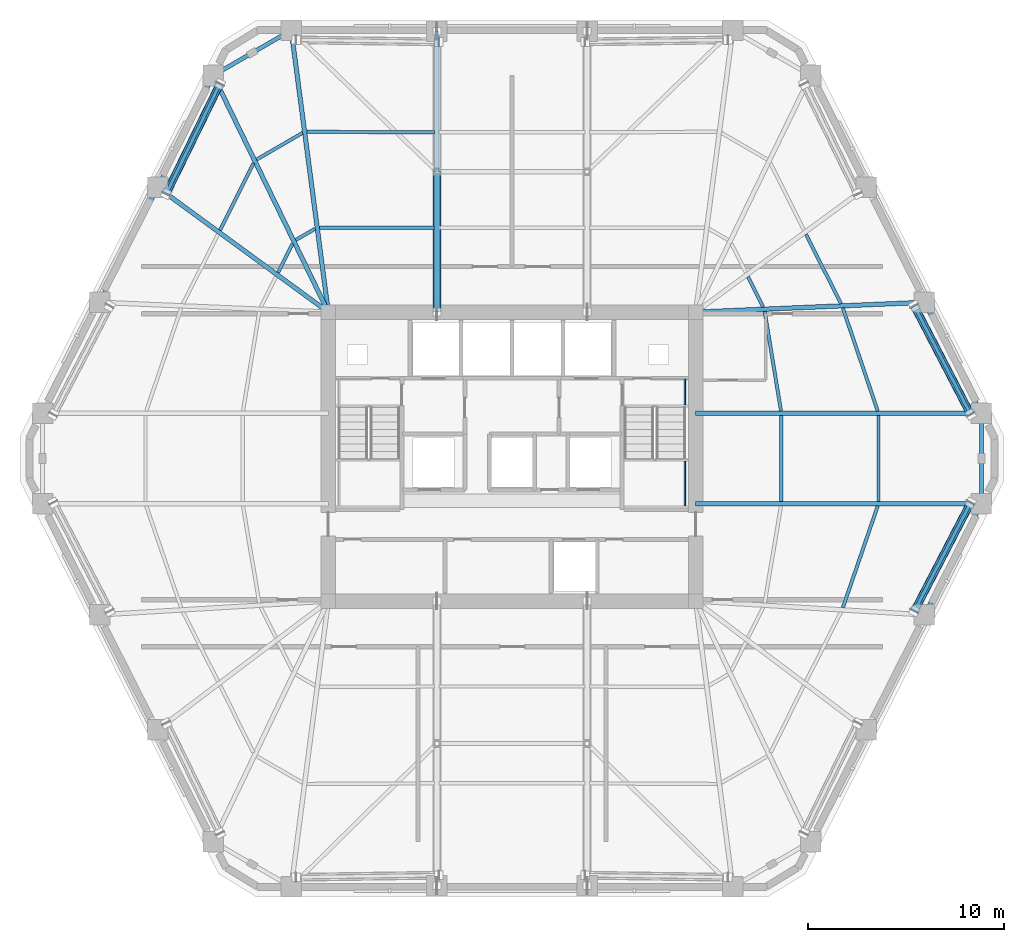
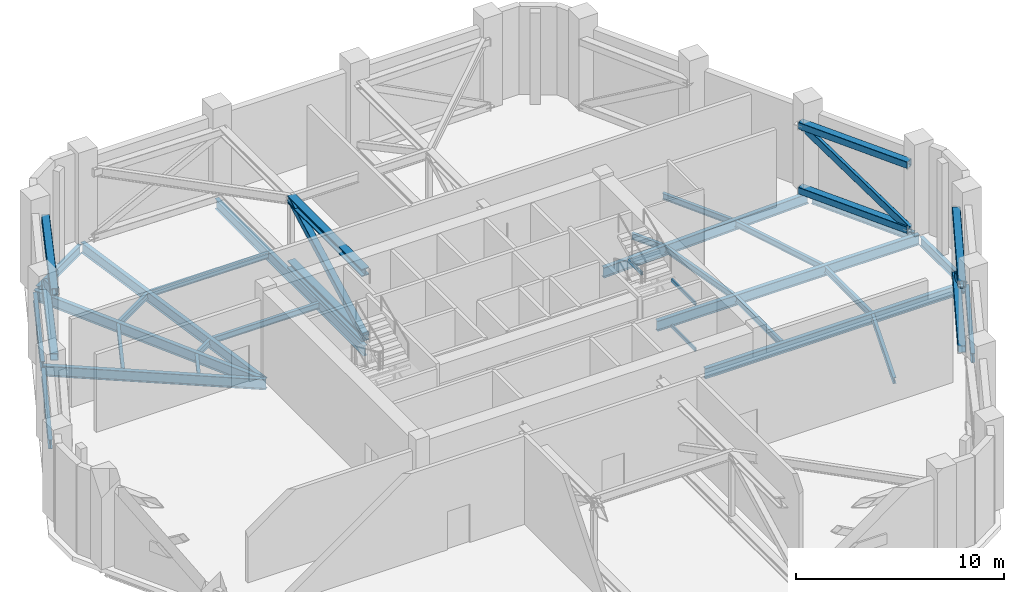
# One storey, part 4 of 15: 29 beams, 12 members.
"""IFC4 building model written with IfcOpenShell, lengths in metres."""

from ifc_helpers import new_model, si_unit, direction, frame, origin, origin_2d, place, context, subcontext, project, spatial, hollow_rectangle, i_section, extrude, material, material_profile, profile_set, type_object, element, save


model = new_model("IFC4")

# Units and contexts
model_context = context("Model", 3, precision=1e-05, world=origin(), true_north=direction((0.0, 1.0)))
body_context = subcontext(model_context, "Body", "Model", "MODEL_VIEW")
ifc_project = project(units=[si_unit("LENGTHUNIT", "METRE"), si_unit("AREAUNIT", "SQUARE_METRE"), si_unit("VOLUMEUNIT", "CUBIC_METRE"), si_unit("PLANEANGLEUNIT", "RADIAN"), si_unit("MASSUNIT", "GRAM", prefix="KILO")], contexts=[model_context])

# Site, building, storey
site_placement = place(None, origin())
site = spatial("IfcSite", under=ifc_project, at=site_placement, CompositionType="ELEMENT")
building_placement = place(site_placement, origin())
building = spatial("IfcBuilding", under=site, at=building_placement, Name="Cinnabar Lancet Tower", CompositionType="ELEMENT")
storey_placement = place(building_placement, frame((0.0, 0.0, 148.10009765625)))
storey = spatial("IfcBuildingStorey", under=building, at=storey_placement, Name="L39", CompositionType="ELEMENT", Elevation=148.10009765625)

# Beams
ifc_material_1 = material(Name="Structural steel S355", Category="steel")
ifc_material_profile_1 = material_profile(ifc_material_1, i_section(OverallWidth=0.17138671875, OverallDepth=0.35498046875, WebThickness=0.00732421875, FlangeThickness=0.011474609375, FilletRadius=0.01025390625, at=origin_2d()), Name="UKB 356x171x51")
ifc_profile_set_1 = profile_set([ifc_material_profile_1], Name="Structural steel S355")
beam_type_1 = type_object("IfcBeamType", Name="STR-BM-JST-356", PredefinedType="JOIST", material=ifc_profile_set_1)
beam_1_placement = place(storey_placement, frame((49.287109375, 18.18798828125, -0.4580078125), z_axis=(0.324639458548, 0.945837841257, 0.0), x_axis=(-0.945837841257, 0.324639458548, 0.0)))
element("IfcBeam", 1, at=beam_1_placement, inside=storey, type_object=beam_type_1, Name="L39 Secondary Floor Joist 21", PredefinedType="JOIST", context=body_context, shape_type="SweptSolid", body=[
    extrude(i_section(OverallWidth=0.17138671875, OverallDepth=0.35498046875, WebThickness=0.00732421875, FlangeThickness=0.011474609375, FilletRadius=0.01025390625, at=origin_2d()), origin(), (0.0, 0.0, 1.0), 5.486083984375),
])
for number, where, z_axis, x_axis, name in (
    (2, (51.10693359375, 23.60498046875, -0.4580078125), (0.0, 1.0, 0.0), (-1.0, 0.0, 0.0), "L39 Secondary Floor Joist 23"),
    (3, (46.14990234375, 23.60498046875, -0.4580078125), (0.0, 1.0, 0.0), (-1.0, 0.0, 0.0), "L39 Secondary Floor Joist 24"),
):
    element("IfcBeam", number, at=place(storey_placement, frame(where, z_axis=z_axis, x_axis=x_axis)), inside=storey, type_object=beam_type_1, Name=name, PredefinedType="JOIST", context=body_context, shape_type="SweptSolid", body=[
        extrude(i_section(OverallWidth=0.17138671875, OverallDepth=0.35498046875, WebThickness=0.00732421875, FlangeThickness=0.011474609375, FilletRadius=0.01025390625, at=origin_2d()), origin(), (0.0, 0.0, 1.0), 4.39013671875),
    ])
beam_2_placement = place(storey_placement, frame((51.069091796875, 28.222900390625, -0.4580078125), z_axis=(-0.321063338019, 0.947057724207, 0.0), x_axis=(-0.947057724207, -0.321063338019, 0.0)))
element("IfcBeam", 4, at=beam_2_placement, inside=storey, type_object=beam_type_1, Name="L39 Secondary Floor Joist 25", PredefinedType="JOIST", context=body_context, shape_type="SweptSolid", body=[
    extrude(i_section(OverallWidth=0.17138671875, OverallDepth=0.35498046875, WebThickness=0.00732421875, FlangeThickness=0.011474609375, FilletRadius=0.01025390625, at=origin_2d()), origin(), (0.0, 0.0, 1.0), 5.553955078125),
])
beam_3_placement = place(storey_placement, frame((46.131103515625, 28.222900390625, -0.4580078125), z_axis=(-0.161719098977, 0.986836832017, 0.0), x_axis=(-0.986836832017, -0.161719098977, 0.0)))
element("IfcBeam", 5, at=beam_3_placement, inside=storey, type_object=beam_type_1, Name="L39 Secondary Floor Joist 26", PredefinedType="JOIST", context=body_context, shape_type="SweptSolid", body=[
    extrude(i_section(OverallWidth=0.17138671875, OverallDepth=0.35498046875, WebThickness=0.00732421875, FlangeThickness=0.011474609375, FilletRadius=0.01025390625, at=origin_2d()), origin(), (0.0, 0.0, 1.0), 5.156982421875),
])
beam_4_placement = place(storey_placement, frame((49.19189453125, 33.70703125, -0.4580078125), z_axis=(-0.450606998706, 0.892722427587, 0.0), x_axis=(-0.892722427587, -0.450606998706, 0.0)))
element("IfcBeam", 6, at=beam_4_placement, inside=storey, type_object=beam_type_1, Name="L39 Secondary Floor Joist 27", PredefinedType="JOIST", context=body_context, shape_type="SweptSolid", body=[
    extrude(i_section(OverallWidth=0.17138671875, OverallDepth=0.35498046875, WebThickness=0.00732421875, FlangeThickness=0.011474609375, FilletRadius=0.01025390625, at=origin_2d()), origin(), (0.0, 0.0, 1.0), 3.967529296875),
])
beam_5_placement = place(storey_placement, frame((45.221923828125, 33.537109375, -0.4580078125), z_axis=(-0.450931068976, 0.892558777354, 0.0), x_axis=(-0.892558777354, -0.450931068976, 0.0)))
element("IfcBeam", 7, at=beam_5_placement, inside=storey, type_object=beam_type_1, Name="L39 Secondary Floor Joist 28", PredefinedType="JOIST", context=body_context, shape_type="SweptSolid", body=[
    extrude(i_section(OverallWidth=0.17138671875, OverallDepth=0.35498046875, WebThickness=0.00732421875, FlangeThickness=0.011474609375, FilletRadius=0.01025390625, at=origin_2d()), origin(), (0.0, 0.0, 1.0), 1.73193359375),
])
beam_6_placement = place(storey_placement, frame((28.4541015625, 42.448974609375, -0.4580078125), z_axis=(-0.999987991898, 0.004900618269, 0.0), x_axis=(-0.004900618269, -0.999987991898, 0.0)))
element("IfcBeam", 8, at=beam_6_placement, inside=storey, type_object=beam_type_1, Name="L39 Secondary Floor Joist 37", PredefinedType="JOIST", context=body_context, shape_type="SweptSolid", body=[
    extrude(i_section(OverallWidth=0.17138671875, OverallDepth=0.35498046875, WebThickness=0.00732421875, FlangeThickness=0.011474609375, FilletRadius=0.01025390625, at=origin_2d()), origin(), (0.0, 0.0, 1.0), 6.526123046875),
])
beam_7_placement = place(storey_placement, frame((28.4541015625, 37.574951171875, -0.4580078125), z_axis=(-0.999996247906, 0.002739374605, 0.0), x_axis=(-0.002739374605, -0.999996247906, 0.0)))
element("IfcBeam", 9, at=beam_7_placement, inside=storey, type_object=beam_type_1, Name="L39 Secondary Floor Joist 38", PredefinedType="JOIST", context=body_context, shape_type="SweptSolid", body=[
    extrude(i_section(OverallWidth=0.17138671875, OverallDepth=0.35498046875, WebThickness=0.00732421875, FlangeThickness=0.011474609375, FilletRadius=0.01025390625, at=origin_2d()), origin(), (0.0, 0.0, 1.0), 5.882080078125),
])
beam_8_placement = place(storey_placement, frame((21.7060546875, 42.419921875, -0.4580078125), z_axis=(-0.865172906898, -0.501473669469, 0.0), x_axis=(0.501473669469, -0.865172906898, 0.0)))
element("IfcBeam", 10, at=beam_8_placement, inside=storey, type_object=beam_type_1, Name="L39 Secondary Floor Joist 39", PredefinedType="JOIST", context=body_context, shape_type="SweptSolid", body=[
    extrude(i_section(OverallWidth=0.17138671875, OverallDepth=0.35498046875, WebThickness=0.00732421875, FlangeThickness=0.011474609375, FilletRadius=0.01025390625, at=origin_2d()), origin(), (0.0, 0.0, 1.0), 2.705810546875),
])
beam_9_placement = place(storey_placement, frame((22.35009765625, 37.529052734375, -0.4580078125), z_axis=(-0.865055308165, -0.501676503154, 0.0), x_axis=(0.501676503154, -0.865055308165, 0.0)))
element("IfcBeam", 11, at=beam_9_placement, inside=storey, type_object=beam_type_1, Name="L39 Secondary Floor Joist 40", PredefinedType="JOIST", context=body_context, shape_type="SweptSolid", body=[
    extrude(i_section(OverallWidth=0.17138671875, OverallDepth=0.35498046875, WebThickness=0.00732421875, FlangeThickness=0.011474609375, FilletRadius=0.01025390625, at=origin_2d()), origin(), (0.0, 0.0, 1.0), 1.14208984375),
])
beam_10_placement = place(storey_placement, frame((19.200927734375, 40.876953125, -0.4580078125), z_axis=(-0.445116798807, -0.895472520751, 0.0), x_axis=(0.895472520751, -0.445116798807, 0.0)))
element("IfcBeam", 12, at=beam_10_placement, inside=storey, type_object=beam_type_1, Name="L39 Secondary Floor Joist 41", PredefinedType="JOIST", context=body_context, shape_type="SweptSolid", body=[
    extrude(i_section(OverallWidth=0.17138671875, OverallDepth=0.35498046875, WebThickness=0.00732421875, FlangeThickness=0.011474609375, FilletRadius=0.01025390625, at=origin_2d()), origin(), (0.0, 0.0, 1.0), 3.8212890625),
])
beam_11_placement = place(storey_placement, frame((21.198974609375, 36.77001953125, -0.4580078125), z_axis=(-0.445795466264, -0.895134851438, 0.0), x_axis=(0.895134851438, -0.445795466264, 0.0)))
element("IfcBeam", 13, at=beam_11_placement, inside=storey, type_object=beam_type_1, Name="L39 Secondary Floor Joist 42", PredefinedType="JOIST", context=body_context, shape_type="SweptSolid", body=[
    extrude(i_section(OverallWidth=0.17138671875, OverallDepth=0.35498046875, WebThickness=0.00732421875, FlangeThickness=0.011474609375, FilletRadius=0.01025390625, at=origin_2d()), origin(), (0.0, 0.0, 1.0), 1.6533203125),
])
ifc_material_2 = material(Name="Structural steel S355", Category="steel")
ifc_material_profile_2 = material_profile(ifc_material_2, hollow_rectangle(XDim=0.10009765625, YDim=0.199951171875, WallThickness=0.008056640625, InnerFilletRadius=0.00390625, OuterFilletRadius=0.011962890625, at=origin_2d()), Name="RHS 200x100x8")
ifc_profile_set_2 = profile_set([ifc_material_profile_2], Name="Structural steel S355")
beam_type_2 = type_object("IfcBeamType", Name="STR-BM-LND-203", PredefinedType="BEAM", material=ifc_profile_set_2)
beam_12_placement = place(storey_placement, frame((41.219970703125, 23.3798828125, 1.0498046875), z_axis=(0.0, 1.0, 0.0), x_axis=(-1.0, 0.0, 0.0)))
element("IfcBeam", 14, at=beam_12_placement, inside=storey, type_object=beam_type_2, Name="L39 ST-2-L39 Landing Side Trimmer Beam", PredefinedType="BEAM", context=body_context, shape_type="SweptSolid", body=[
    extrude(hollow_rectangle(XDim=0.10009765625, YDim=0.199951171875, WallThickness=0.008056640625, InnerFilletRadius=0.00390625, OuterFilletRadius=0.011962890625, at=origin_2d()), origin(), (0.0, 0.0, 1.0), 2.2900390625),
])
beam_13_placement = place(storey_placement, frame((41.219970703125, 28.530029296875, 2.39990234375), z_axis=(0.0, 1.0, 0.0), x_axis=(-1.0, 0.0, 0.0)))
element("IfcBeam", 15, at=beam_13_placement, inside=storey, type_object=beam_type_2, Name="L39 ST-2-L39 Landing Side Trimmer Beam", PredefinedType="BEAM", context=body_context, shape_type="SweptSolid", body=[
    extrude(hollow_rectangle(XDim=0.10009765625, YDim=0.199951171875, WallThickness=0.008056640625, InnerFilletRadius=0.00390625, OuterFilletRadius=0.011962890625, at=origin_2d()), origin(), (0.0, 0.0, 1.0), 1.340087890625),
])
beam_14_placement = place(storey_placement, frame((41.219970703125, 23.3798828125, 3.75), z_axis=(0.0, 1.0, 0.0), x_axis=(-1.0, 0.0, 0.0)))
element("IfcBeam", 16, at=beam_14_placement, inside=storey, type_object=beam_type_2, Name="L39 ST-2-L39 Landing Side Trimmer Beam", PredefinedType="BEAM", context=body_context, shape_type="SweptSolid", body=[
    extrude(hollow_rectangle(XDim=0.10009765625, YDim=0.199951171875, WallThickness=0.008056640625, InnerFilletRadius=0.00390625, OuterFilletRadius=0.011962890625, at=origin_2d()), origin(), (0.0, 0.0, 1.0), 2.2900390625),
])
ifc_material_3 = material(Name="Structural steel S355", Category="steel")
ifc_material_profile_3 = material_profile(ifc_material_3, i_section(OverallWidth=0.209228515625, OverallDepth=0.533203125, WebThickness=0.010009765625, FlangeThickness=0.015625, FilletRadius=0.0126953125, at=origin_2d()), Name="UKB 533x210x92")
ifc_profile_set_3 = profile_set([ifc_material_profile_3], Name="Structural steel S355")
beam_type_3 = type_object("IfcBeamType", Name="STR-BM-SPN-533", PredefinedType="SPANDREL", material=ifc_profile_set_3)
beam_15_placement = place(storey_placement, frame((53.56591796875, 18.0458984375, -0.547119140625), z_axis=(0.456109733574, 0.889923542187, 0.0), x_axis=(-0.889923542187, 0.456109733574, 0.0)))
element("IfcBeam", 17, at=beam_15_placement, inside=storey, type_object=beam_type_3, Name="L39 Perimeter Spandrel 7", PredefinedType="SPANDREL", context=body_context, shape_type="SweptSolid", body=[
    extrude(i_section(OverallWidth=0.209228515625, OverallDepth=0.533203125, WebThickness=0.010009765625, FlangeThickness=0.015625, FilletRadius=0.0126953125, at=origin_2d()), origin(), (0.0, 0.0, 1.0), 5.869140625),
])
beam_16_placement = place(storey_placement, frame((56.35693359375, 23.740966796875, -0.547119140625), z_axis=(0.0, 1.0, 0.0), x_axis=(-1.0, 0.0, 0.0)))
element("IfcBeam", 18, at=beam_16_placement, inside=storey, type_object=beam_type_3, Name="L39 Perimeter Spandrel 8", PredefinedType="SPANDREL", context=body_context, shape_type="SweptSolid", body=[
    extrude(i_section(OverallWidth=0.209228515625, OverallDepth=0.533203125, WebThickness=0.010009765625, FlangeThickness=0.015625, FilletRadius=0.0126953125, at=origin_2d()), origin(), (0.0, 0.0, 1.0), 4.117919921875),
])
beam_17_placement = place(storey_placement, frame((56.242919921875, 28.3310546875, -0.547119140625), z_axis=(-0.456126618405, 0.889914888055, 0.0), x_axis=(-0.889914888055, -0.456126618405, 0.0)))
element("IfcBeam", 19, at=beam_17_placement, inside=storey, type_object=beam_type_3, Name="L39 Perimeter Spandrel 9", PredefinedType="SPANDREL", context=body_context, shape_type="SweptSolid", body=[
    extrude(i_section(OverallWidth=0.209228515625, OverallDepth=0.533203125, WebThickness=0.010009765625, FlangeThickness=0.015625, FilletRadius=0.0126953125, at=origin_2d()), origin(), (0.0, 0.0, 1.0), 5.868896484375),
])
beam_18_placement = place(storey_placement, frame((20.9150390625, 47.535888671875, -0.547119140625), z_axis=(-0.865138129765, -0.5015336643, 0.0), x_axis=(0.5015336643, -0.865138129765, 0.0)))
element("IfcBeam", 20, at=beam_18_placement, inside=storey, type_object=beam_type_3, Name="L39 Perimeter Spandrel 16", PredefinedType="SPANDREL", context=body_context, shape_type="SweptSolid", body=[
    extrude(i_section(OverallWidth=0.209228515625, OverallDepth=0.533203125, WebThickness=0.010009765625, FlangeThickness=0.015625, FilletRadius=0.0126953125, at=origin_2d()), origin(), (0.0, 0.0, 1.0), 4.10107421875),
])
beam_19_placement = place(storey_placement, frame((17.0400390625, 45.1298828125, -0.547119140625), z_axis=(-0.445501068635, -0.89528140707, 0.0), x_axis=(0.89528140707, -0.445501068635, 0.0)))
element("IfcBeam", 21, at=beam_19_placement, inside=storey, type_object=beam_type_3, Name="L39 Perimeter Spandrel 17", PredefinedType="SPANDREL", context=body_context, shape_type="SweptSolid", body=[
    extrude(i_section(OverallWidth=0.209228515625, OverallDepth=0.533203125, WebThickness=0.010009765625, FlangeThickness=0.015625, FilletRadius=0.0126953125, at=origin_2d()), origin(), (0.0, 0.0, 1.0), 5.87646484375),
])
beam_20_placement = place(storey_placement, frame((14.197998046875, 39.422119140625, -0.547119140625), z_axis=(-0.450570325924, -0.892740937449, 0.0), x_axis=(0.892740937449, -0.450570325924, 0.0)))
element("IfcBeam", 22, at=beam_20_placement, inside=storey, type_object=beam_type_3, Name="L39 Perimeter Spandrel 18", PredefinedType="SPANDREL", context=body_context, shape_type="SweptSolid", body=[
    extrude(i_section(OverallWidth=0.209228515625, OverallDepth=0.533203125, WebThickness=0.010009765625, FlangeThickness=0.015625, FilletRadius=0.0126953125, at=origin_2d()), origin(), (0.0, 0.0, 1.0), 6.07470703125),
])
ifc_material_4 = material(Name="Structural steel S355", Category="steel")
ifc_material_profile_4 = material_profile(ifc_material_4, i_section(OverallWidth=0.228271484375, OverallDepth=0.607666015625, WebThickness=0.010986328125, FlangeThickness=0.017333984375, FilletRadius=0.0126953125, at=origin_2d()), Name="UKB 610x229x113")
ifc_profile_set_4 = profile_set([ifc_material_profile_4], Name="Structural steel S355")
beam_type_4 = type_object("IfcBeamType", Name="STR-BM-UKB610-113", PredefinedType="BEAM", material=ifc_profile_set_4)
beam_21_placement = place(storey_placement, frame((14.31103515625, 39.64501953125, -0.583984375), z_axis=(0.807289993592, -0.590154951048, 0.0), x_axis=(0.590154951048, 0.807289993592, 0.0)))
element("IfcBeam", 23, at=beam_21_placement, inside=storey, type_object=beam_type_4, Name="L39 Corner Collector Girder 4", PredefinedType="BEAM", context=body_context, shape_type="SweptSolid", body=[
    extrude(i_section(OverallWidth=0.228271484375, OverallDepth=0.607666015625, WebThickness=0.010986328125, FlangeThickness=0.017333984375, FilletRadius=0.0126953125, at=origin_2d()), origin(), (0.0, 0.0, 1.0), 10.7939453125),
])
for number, where, z_axis, x_axis, name in (
    (24, (56.35693359375, 23.490966796875, -0.583984375), (-1.0, 0.0, 0.0), (0.0, -1.0, 0.0), "L39 Primary Floor Girder 8"),
    (25, (56.35693359375, 28.10888671875, -0.583984375), (-1.0, 0.0, 0.0), (0.0, -1.0, 0.0), "L39 Primary Floor Girder 9"),
):
    element("IfcBeam", number, at=place(storey_placement, frame(where, z_axis=z_axis, x_axis=x_axis)), inside=storey, type_object=beam_type_4, Name=name, PredefinedType="BEAM", context=body_context, shape_type="SweptSolid", body=[
        extrude(i_section(OverallWidth=0.228271484375, OverallDepth=0.607666015625, WebThickness=0.010986328125, FlangeThickness=0.017333984375, FilletRadius=0.0126953125, at=origin_2d()), origin(), (0.0, 0.0, 1.0), 14.58203125),
    ])
beam_22_placement = place(storey_placement, frame((53.451904296875, 33.77587890625, -0.583984375), z_axis=(-0.999080941658, -0.042863411158, 0.0), x_axis=(0.042863411158, -0.999080941658, 0.0)))
element("IfcBeam", 26, at=beam_22_placement, inside=storey, type_object=beam_type_4, Name="L39 Primary Floor Girder 10", PredefinedType="BEAM", context=body_context, shape_type="SweptSolid", body=[
    extrude(i_section(OverallWidth=0.228271484375, OverallDepth=0.607666015625, WebThickness=0.010986328125, FlangeThickness=0.017333984375, FilletRadius=0.0126953125, at=origin_2d()), origin(), (0.0, 0.0, 1.0), 11.687744140625),
])
beam_23_placement = place(storey_placement, frame((28.568115234375, 47.60791015625, -0.583984375), z_axis=(0.0, -1.0, 0.0), x_axis=(1.0, 0.0, 0.0)))
element("IfcBeam", 27, at=beam_23_placement, inside=storey, type_object=beam_type_4, Name="L39 Primary Floor Girder 15", PredefinedType="BEAM", context=body_context, shape_type="SweptSolid", body=[
    extrude(i_section(OverallWidth=0.228271484375, OverallDepth=0.607666015625, WebThickness=0.010986328125, FlangeThickness=0.017333984375, FilletRadius=0.0126953125, at=origin_2d()), origin(), (0.0, 0.0, 1.0), 14.3330078125),
])
beam_24_placement = place(storey_placement, frame((21.131103515625, 47.660888671875, -0.583984375), z_axis=(0.130515881524, -0.991446218748, 0.0), x_axis=(0.991446218748, 0.130515881524, 0.0)))
element("IfcBeam", 28, at=beam_24_placement, inside=storey, type_object=beam_type_4, Name="L39 Primary Floor Girder 16", PredefinedType="BEAM", context=body_context, shape_type="SweptSolid", body=[
    extrude(i_section(OverallWidth=0.228271484375, OverallDepth=0.607666015625, WebThickness=0.010986328125, FlangeThickness=0.017333984375, FilletRadius=0.0126953125, at=origin_2d()), origin(), (0.0, 0.0, 1.0), 14.510009765625),
])
beam_25_placement = place(storey_placement, frame((17.15087890625, 45.35400390625, -0.583984375), z_axis=(0.437327473227, -0.899302330232, 0.0), x_axis=(0.899302330232, 0.437327473227, 0.0)))
element("IfcBeam", 29, at=beam_25_placement, inside=storey, type_object=beam_type_4, Name="L39 Primary Floor Girder 17", PredefinedType="BEAM", context=body_context, shape_type="SweptSolid", body=[
    extrude(i_section(OverallWidth=0.228271484375, OverallDepth=0.607666015625, WebThickness=0.010986328125, FlangeThickness=0.017333984375, FilletRadius=0.0126953125, at=origin_2d()), origin(), (0.0, 0.0, 1.0), 13.431640625),
])

# Members
ifc_material_5 = material(Name="Structural steel S460", Category="steel")
ifc_material_profile_5 = material_profile(ifc_material_5, hollow_rectangle(XDim=0.199951171875, YDim=0.39990234375, WallThickness=0.01611328125, InnerFilletRadius=0.008056640625, OuterFilletRadius=0.02392578125, at=origin_2d()), Name="RHS 400x200x16")
ifc_profile_set_5 = profile_set([ifc_material_profile_5], Name="Structural steel S460")
member_type_1 = type_object("IfcMemberType", Name="STR-MEM-BT-BRC400", PredefinedType="BRACE", material=ifc_profile_set_5)
for number, where, z_axis, x_axis, name in (
    (30, (52.93798828125, 18.01904296875, 4.039794921875), (0.39315996677, 0.756308232574, -0.522898745332), (-0.887274569129, 0.46124162754, 0.0), "L39 Belt Truss Face 2 Diagonal"),
    (31, (55.81005859375, 28.055908203125, 0.219970703125), (-0.393150029307, 0.756322535978, 0.522885528608), (-0.887282909931, -0.461225582274, 0.0), "L39 Belt Truss Face 3 Diagonal"),
):
    element("IfcMember", number, at=place(storey_placement, frame(where, z_axis=z_axis, x_axis=x_axis)), inside=storey, type_object=member_type_1, Name=name, PredefinedType="BRACE", context=body_context, shape_type="SweptSolid", body=[
        extrude(hollow_rectangle(XDim=0.199951171875, YDim=0.39990234375, WallThickness=0.01611328125, InnerFilletRadius=0.008056640625, OuterFilletRadius=0.02392578125, at=origin_2d()), origin(), (0.0, 0.0, 1.0), 7.30517578125),
    ])
member_1_placement = place(storey_placement, frame((17.489013671875, 44.919921875, 0.219970703125), z_axis=(-0.374514841053, -0.766376054009, 0.521925643816), x_axis=(0.898457388787, -0.439060725338, 0.0)))
element("IfcMember", 32, at=member_1_placement, inside=storey, type_object=member_type_1, Name="L39 Belt Truss Face 5 Diagonal", PredefinedType="BRACE", context=body_context, shape_type="SweptSolid", body=[
    extrude(hollow_rectangle(XDim=0.199951171875, YDim=0.39990234375, WallThickness=0.01611328125, InnerFilletRadius=0.008056640625, OuterFilletRadius=0.02392578125, at=origin_2d()), origin(), (0.0, 0.0, 1.0), 7.318603515625),
])
ifc_material_6 = material(Name="Structural steel S460", Category="steel")
ifc_material_profile_6 = material_profile(ifc_material_6, hollow_rectangle(XDim=0.39990234375, YDim=0.39990234375, WallThickness=0.02001953125, InnerFilletRadius=0.010009765625, OuterFilletRadius=0.030029296875, at=origin_2d()), Name="SHS 400x400x20")
ifc_profile_set_6 = profile_set([ifc_material_profile_6], Name="Structural steel S460")
member_type_2 = type_object("IfcMemberType", Name="STR-MEM-BT-CHD400", PredefinedType="CHORD", material=ifc_profile_set_6)
for number, where, z_axis, x_axis, name in (
    (33, (52.93798828125, 18.01904296875, 0.219970703125), (0.46124162754, 0.887274569129, 0.0), (-0.887274569129, 0.46124162754, 0.0), "L39 Belt Truss Face 2 Chord BC"),
    (34, (52.93798828125, 18.01904296875, 4.039794921875), (0.46124162754, 0.887274569129, 0.0), (-0.887274569129, 0.46124162754, 0.0), "L39 Belt Truss Face 2 Chord TC"),
):
    element("IfcMember", number, at=place(storey_placement, frame(where, z_axis=z_axis, x_axis=x_axis)), inside=storey, type_object=member_type_2, Name=name, PredefinedType="CHORD", context=body_context, shape_type="SweptSolid", body=[
        extrude(hollow_rectangle(XDim=0.39990234375, YDim=0.39990234375, WallThickness=0.02001953125, InnerFilletRadius=0.010009765625, OuterFilletRadius=0.030029296875, at=origin_2d()), origin(), (0.0, 0.0, 1.0), 6.226806640625),
    ])
for number, where, z_axis, x_axis, name in (
    (35, (55.81005859375, 28.055908203125, 0.219970703125), (-0.461225582274, 0.887282909931, 0.0), (-0.887282909931, -0.461225582274, 0.0), "L39 Belt Truss Face 3 Chord BC"),
    (36, (55.81005859375, 28.055908203125, 4.039794921875), (-0.461225582274, 0.887282909931, 0.0), (-0.887282909931, -0.461225582274, 0.0), "L39 Belt Truss Face 3 Chord TC"),
):
    element("IfcMember", number, at=place(storey_placement, frame(where, z_axis=z_axis, x_axis=x_axis)), inside=storey, type_object=member_type_2, Name=name, PredefinedType="CHORD", context=body_context, shape_type="SweptSolid", body=[
        extrude(hollow_rectangle(XDim=0.39990234375, YDim=0.39990234375, WallThickness=0.02001953125, InnerFilletRadius=0.010009765625, OuterFilletRadius=0.030029296875, at=origin_2d()), origin(), (0.0, 0.0, 1.0), 6.22705078125),
    ])
for number, where, z_axis, x_axis, name in (
    (37, (17.489013671875, 44.919921875, 0.219970703125), (-0.439060725338, -0.898457388787, 0.0), (0.898457388787, -0.439060725338, 0.0), "L39 Belt Truss Face 5 Chord BC"),
    (38, (17.489013671875, 44.919921875, 4.039794921875), (-0.439060725338, -0.898457388787, 0.0), (0.898457388787, -0.439060725338, 0.0), "L39 Belt Truss Face 5 Chord TC"),
):
    element("IfcMember", number, at=place(storey_placement, frame(where, z_axis=z_axis, x_axis=x_axis)), inside=storey, type_object=member_type_2, Name=name, PredefinedType="CHORD", context=body_context, shape_type="SweptSolid", body=[
        extrude(hollow_rectangle(XDim=0.39990234375, YDim=0.39990234375, WallThickness=0.02001953125, InnerFilletRadius=0.010009765625, OuterFilletRadius=0.030029296875, at=origin_2d()), origin(), (0.0, 0.0, 1.0), 6.24267578125),
    ])
ifc_material_7 = material(Name="Structural steel S460", Category="steel")
ifc_material_profile_7 = material_profile(ifc_material_7, hollow_rectangle(XDim=0.35009765625, YDim=0.35009765625, WallThickness=0.01611328125, InnerFilletRadius=0.008056640625, OuterFilletRadius=0.02392578125, at=origin_2d()), Name="SHS 350x350x16")
ifc_profile_set_7 = profile_set([ifc_material_profile_7], Name="Structural steel S460")
member_type_3 = type_object("IfcMemberType", Name="STR-MEM-OT-BRC350", PredefinedType="BRACE", material=ifc_profile_set_7)
member_2_placement = place(storey_placement, frame((28.568115234375, 33.27490234375, 0.219970703125), z_axis=(0.0, 0.882457781461, 0.470391607003), x_axis=(-1.0, 0.0, 0.0)))
element("IfcMember", 39, at=member_2_placement, inside=storey, type_object=member_type_3, Name="L39 Outrigger Truss 4 Diagonal 1", PredefinedType="BRACE", context=body_context, shape_type="SweptSolid", body=[
    extrude(hollow_rectangle(XDim=0.35009765625, YDim=0.35009765625, WallThickness=0.01611328125, InnerFilletRadius=0.008056640625, OuterFilletRadius=0.02392578125, at=origin_2d()), origin(), (0.0, 0.0, 1.0), 8.12060546875),
])
ifc_material_8 = material(Name="Structural steel S460", Category="steel")
ifc_material_profile_8 = material_profile(ifc_material_8, i_section(OverallWidth=0.412109375, OverallDepth=0.43505859375, WebThickness=0.035888671875, FlangeThickness=0.05810546875, FilletRadius=0.014892578125, at=origin_2d()), Name="HD 400x463")
ifc_profile_set_8 = profile_set([ifc_material_profile_8], Name="Structural steel S460")
member_type_4 = type_object("IfcMemberType", Name="STR-MEM-OT-CHD463", PredefinedType="CHORD", material=ifc_profile_set_8)
for number, where, z_axis, x_axis, name in (
    (40, (28.568115234375, 33.27490234375, 0.219970703125), (0.0, 1.0, 0.0), (-1.0, 0.0, 0.0), "L39 Outrigger Truss 4 Chord BC1"),
    (41, (28.568115234375, 33.27490234375, 4.039794921875), (0.0, 1.0, 0.0), (-1.0, 0.0, 0.0), "L39 Outrigger Truss 4 Chord TC1"),
):
    element("IfcMember", number, at=place(storey_placement, frame(where, z_axis=z_axis, x_axis=x_axis)), inside=storey, type_object=member_type_4, Name=name, PredefinedType="CHORD", context=body_context, shape_type="SweptSolid", body=[
        extrude(i_section(OverallWidth=0.412109375, OverallDepth=0.43505859375, WebThickness=0.035888671875, FlangeThickness=0.05810546875, FilletRadius=0.014892578125, at=origin_2d()), origin(), (0.0, 0.0, 1.0), 7.166015625),
    ])

save(model, "model.ifc")
